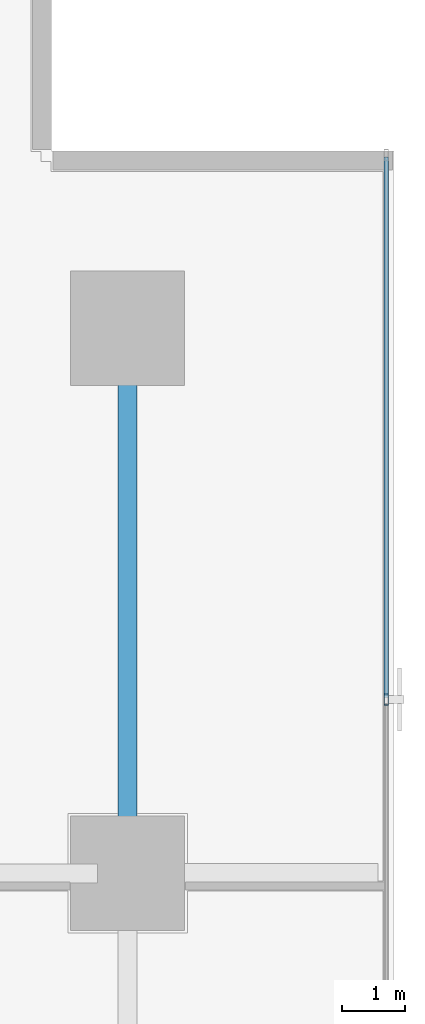
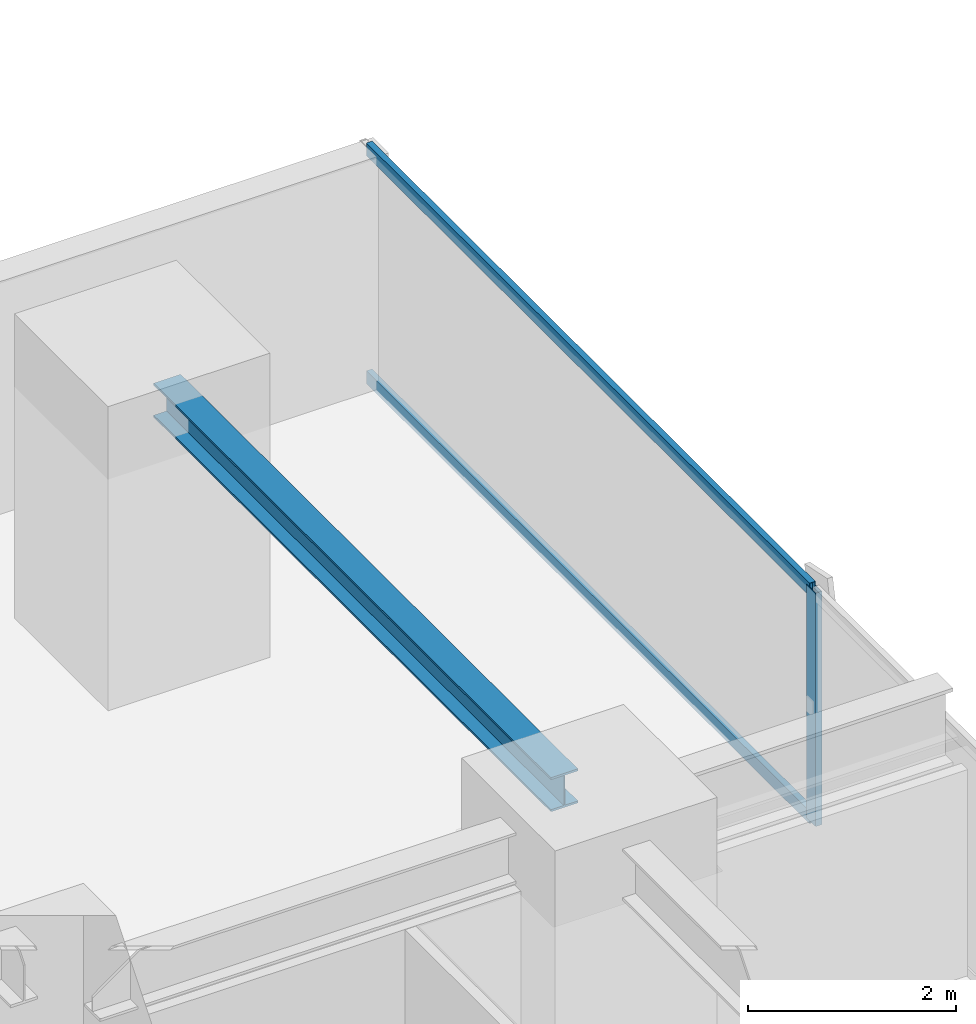
# One storey, part 21 of 33: 3 members, 1 beam, 1 element without a shape of its own.
"""IFC4 building model written with IfcOpenShell, lengths in metres."""

from ifc_helpers import new_model, si_unit, direction, frame, origin, origin_2d, place, context, subcontext, project, spatial, hollow_rectangle, i_section, extrude, source, transform, mapped, material, layer, layer_set, material_profile, profile_set, type_object, element, aggregate, save


model = new_model("IFC4")

# Units and contexts
model_context = context("Model", 3, precision=1e-05, world=origin(), true_north=direction((0.0, 1.0)))
body_context = subcontext(model_context, "Body", "Model", "MODEL_VIEW")
ifc_project = project(units=[si_unit("LENGTHUNIT", "METRE"), si_unit("AREAUNIT", "SQUARE_METRE"), si_unit("VOLUMEUNIT", "CUBIC_METRE"), si_unit("PLANEANGLEUNIT", "RADIAN"), si_unit("MASSUNIT", "GRAM", prefix="KILO")], contexts=[model_context])

# Site, building, storey
site_placement = place(None, origin())
site = spatial("IfcSite", under=ifc_project, at=site_placement, CompositionType="ELEMENT")
building_placement = place(site_placement, origin())
building = spatial("IfcBuilding", under=site, at=building_placement, Name="Sumidabori Civic Tower", CompositionType="ELEMENT")
storey_placement = place(building_placement, frame((0.0, 0.0, 27.199951171875)))
storey = spatial("IfcBuildingStorey", under=building, at=storey_placement, Name="L06", CompositionType="ELEMENT", Elevation=27.199951171875)

# Beam
ifc_material_1 = material(Name="Steel SN490", Category="steel")
ifc_material_profile_1 = material_profile(ifc_material_1, i_section(OverallWidth=0.300048828125, OverallDepth=0.39990234375, WebThickness=0.013427734375, FlangeThickness=0.02392578125, at=origin_2d()), Name="HE 400 B")
ifc_profile_set_1 = profile_set([ifc_material_profile_1], Name="Steel SN490")
beam_type = type_object("IfcBeamType", Name="BM-GIRD-400", PredefinedType="BEAM", material=ifc_profile_set_1)
shared_shape_1 = source(origin(), body_context, "Body", "SweptSolid", [
    extrude(i_section(OverallWidth=0.300048828125, OverallDepth=0.39990234375, WebThickness=0.013427734375, FlangeThickness=0.02392578125, at=origin_2d()), origin(), (0.0, 0.0, 1.0), 7.64013671875),
])
beam_placement = place(storey_placement, frame((22.800048828125, 10.679931640625, 3.16015625), z_axis=(0.0, 1.0, 0.0), x_axis=(-1.0, 0.0, 0.0)))
element("IfcBeam", 1, at=beam_placement, inside=storey, type_object=beam_type, Name="Primary Girder L06 GY-42", PredefinedType="BEAM", context=body_context, shape_type="MappedRepresentation", body=[
    mapped(shared_shape_1, transform((0.0, 0.0, 0.0), x_axis=(1.0, 0.0, 0.0), y_axis=(0.0, 1.0, 0.0), z_axis=(0.0, 0.0, 1.0), scale=1.0)),
])

# Curtain wall, members
ifc_material_2 = material(Name="Anodised Bronze Aluminium AW-6063-T6", Category="aluminium")
ifc_layer = layer(ifc_material_2, 0.179931640625, Name="Anodised Bronze Aluminium AW-6063-T6")
ifc_layer_set = layer_set([ifc_layer], Name="Anodised Bronze Aluminium AW-6063-T6")
curtain_wall_type = type_object("IfcCurtainWallType", Name="CW-SYS-2", PredefinedType="NOTDEFINED", material=ifc_layer_set)
curtain_wall_placement = place(storey_placement, origin())
curtain_wall = element("IfcCurtainWall", 2, at=curtain_wall_placement, inside=storey, type_object=curtain_wall_type, Name="Curtain Wall CW:L06:R04", PredefinedType="NOTDEFINED")
ifc_material_profile_2 = material_profile(ifc_material_2, hollow_rectangle(XDim=0.070068359375, YDim=0.179931640625, WallThickness=0.006103515625, at=origin_2d()), Name="ALU MULLION 180x70")
ifc_profile_set_2 = profile_set([ifc_material_profile_2], Name="Anodised Bronze Aluminium AW-6063-T6")
member_type_1 = type_object("IfcMemberType", Name="CW-MUL-180", PredefinedType="MULLION", material=ifc_profile_set_2)
shared_shape_2 = source(origin(), body_context, "Body", "SweptSolid", [
    extrude(hollow_rectangle(XDim=0.070068359375, YDim=0.179931640625, WallThickness=0.006103515625, at=origin_2d()), origin(), (0.0, 0.0, 1.0), 2.739990234375),
])
member_1_placement = place(storey_placement, frame((26.8798828125, 12.94189453125, 0.0), z_axis=(0.0, 0.0, 1.0), x_axis=(-1.0, 0.0, 0.0)))
member_1 = element("IfcMember", 3, at=member_1_placement, type_object=member_type_1, Name="CW-2 mullion 5", PredefinedType="MULLION", context=body_context, shape_type="MappedRepresentation", body=[
    mapped(shared_shape_2, transform((0.0, 0.0, 0.0), x_axis=(1.0, 0.0, 0.0), y_axis=(0.0, 1.0, 0.0), z_axis=(0.0, 0.0, 1.0), scale=1.0)),
])
ifc_material_profile_3 = material_profile(ifc_material_2, hollow_rectangle(XDim=0.06494140625, YDim=0.14990234375, WallThickness=0.0048828125, at=origin_2d()), Name="ALU TRANSOM 150x65")
ifc_profile_set_3 = profile_set([ifc_material_profile_3], Name="Anodised Bronze Aluminium AW-6063-T6")
member_type_2 = type_object("IfcMemberType", Name="CW-TRN-150", PredefinedType="USERDEFINED", material=ifc_profile_set_3)
shared_shape_3 = source(origin(), body_context, "Body", "SweptSolid", [
    extrude(hollow_rectangle(XDim=0.06494140625, YDim=0.14990234375, WallThickness=0.0048828125, at=origin_2d()), origin(), (0.0, 0.0, 1.0), 8.52294921875),
])
member_2_placement = place(storey_placement, frame((26.8798828125, 12.97705078125, 0.032470703125), z_axis=(0.0, 1.0, 0.0), x_axis=(-1.0, 0.0, 0.0)))
member_2 = element("IfcMember", 4, at=member_2_placement, type_object=member_type_2, Name="CW-2 transom 5.1", ObjectType="TRANSOM", PredefinedType="USERDEFINED", context=body_context, shape_type="MappedRepresentation", body=[
    mapped(shared_shape_3, transform((0.0, 0.0, 0.0), x_axis=(1.0, 0.0, 0.0), y_axis=(0.0, 1.0, 0.0), z_axis=(0.0, 0.0, 1.0), scale=1.0)),
])
member_3_placement = place(storey_placement, frame((26.8798828125, 12.97705078125, 2.70751953125), z_axis=(0.0, 1.0, 0.0), x_axis=(-1.0, 0.0, 0.0)))
member_3 = element("IfcMember", 5, at=member_3_placement, type_object=member_type_2, Name="CW-2 transom 5.2", ObjectType="TRANSOM", PredefinedType="USERDEFINED", context=body_context, shape_type="MappedRepresentation", body=[
    mapped(shared_shape_3, transform((0.0, 0.0, 0.0), x_axis=(1.0, 0.0, 0.0), y_axis=(0.0, 1.0, 0.0), z_axis=(0.0, 0.0, 1.0), scale=1.0)),
])
aggregate(curtain_wall, [member_1, member_2, member_3])

save(model, "model.ifc")
